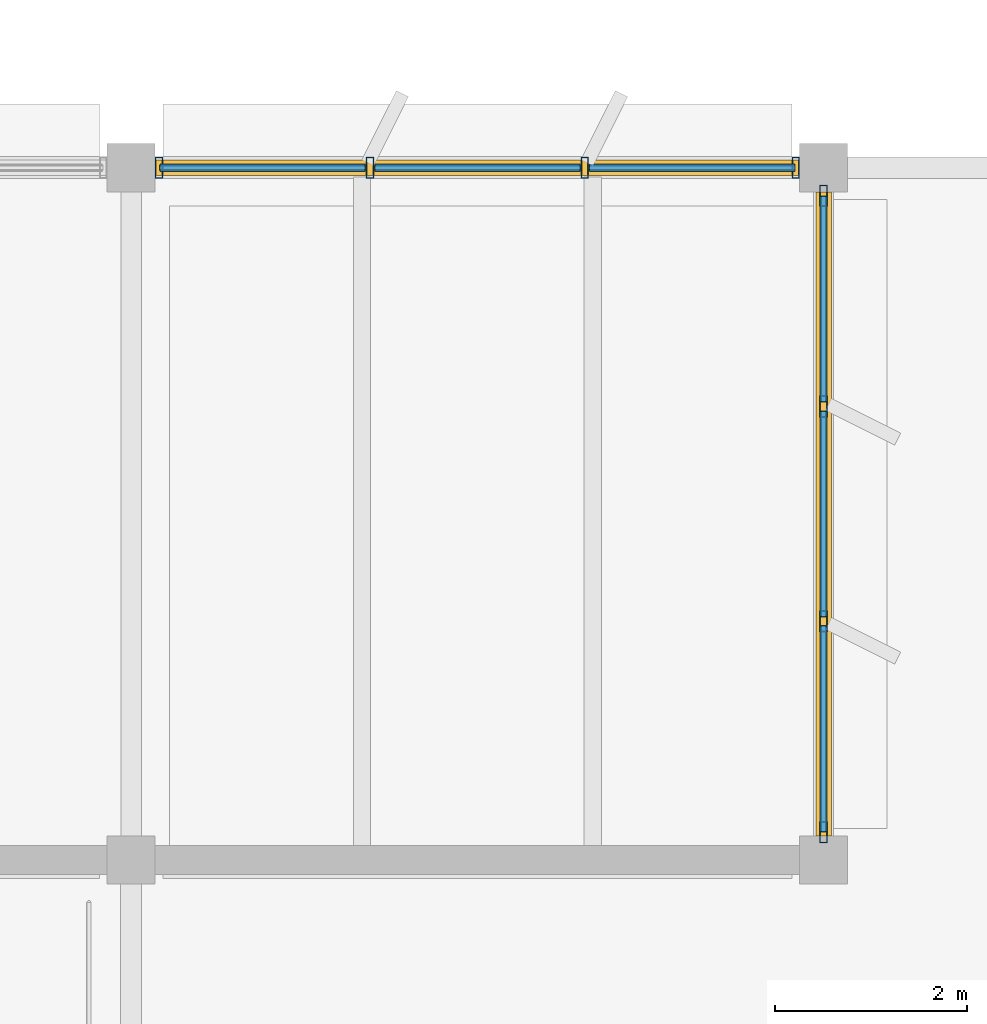
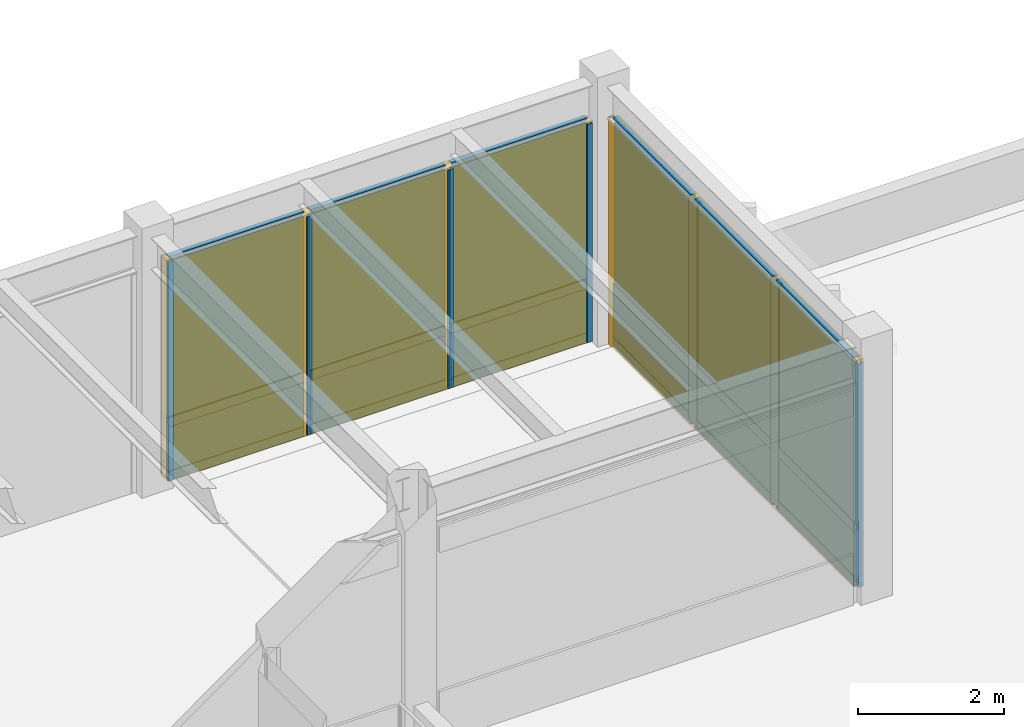
# One storey, part 71 of 92: 26 members, 12 plates, 2 curtain walls.
"""IFC4 building model written with IfcOpenShell, lengths in metres."""

from ifc_helpers import new_model, si_unit, direction, frame, origin, origin_2d, place, context, subcontext, project, spatial, rectangle, hollow_rectangle, extrude, material, layer, layer_set, material_profile, profile_set, type_object, element, aggregate, save


model = new_model("IFC4")

# Units and contexts
model_context = context("Model", 3, precision=1e-05, world=origin(), true_north=direction((0.0, 1.0)))
body_context = subcontext(model_context, "Body", "Model", "MODEL_VIEW")
ifc_project = project(units=[si_unit("LENGTHUNIT", "METRE"), si_unit("AREAUNIT", "SQUARE_METRE"), si_unit("VOLUMEUNIT", "CUBIC_METRE"), si_unit("PLANEANGLEUNIT", "RADIAN"), si_unit("MASSUNIT", "GRAM", prefix="KILO")], contexts=[model_context])

# Member
ifc_material_1 = material(Name="Anodized Aluminium 6063-T6", Category="aluminium")
ifc_material_profile_1 = material_profile(ifc_material_1, hollow_rectangle(XDim=0.074951171875, YDim=0.219970703125, WallThickness=0.0048828125, at=origin_2d()), Name="ALU 75x220x5")
ifc_profile_set_1 = profile_set([ifc_material_profile_1], Name="Anodized Aluminium 6063-T6")
member_type_1 = type_object("IfcMemberType", Name="CWM-75X180", PredefinedType="MULLION", material=ifc_profile_set_1)
site_placement = place(None, origin())
building_placement = place(site_placement, origin())
storey_placement = place(building_placement, frame((0.0, 0.0, 5.39990234375)))
member_1_placement = place(storey_placement, frame((151.489990234375, 28.800048828125, 0.02001953125), z_axis=(0.0, 0.0, 1.0), x_axis=(1.0, 0.0, 0.0)))
member_1 = element("IfcMember", 1, at=member_1_placement, type_object=member_type_1, Name="Curtain wall mullion CW-L02-21-03-N-00", PredefinedType="MULLION", context=body_context, shape_type="SweptSolid", body=[
    extrude(hollow_rectangle(XDim=0.074951171875, YDim=0.219970703125, WallThickness=0.0048828125, at=origin_2d()), origin(), (0.0, 0.0, 1.0), 3.648193359375),
])

member_2_placement = place(storey_placement, frame((153.683349609375, 28.800048828125, 0.02001953125), z_axis=(0.0, 0.0, 1.0), x_axis=(1.0, 0.0, 0.0)))
member_2 = element("IfcMember", 2, at=member_2_placement, type_object=member_type_1, Name="Curtain wall mullion CW-L02-21-03-N-01", PredefinedType="MULLION", context=body_context, shape_type="SweptSolid", body=[
    extrude(hollow_rectangle(XDim=0.074951171875, YDim=0.219970703125, WallThickness=0.0048828125, at=origin_2d()), origin(), (0.0, 0.0, 1.0), 3.648193359375),
])

member_3_placement = place(storey_placement, frame((155.916748046875, 28.800048828125, 0.02001953125), z_axis=(0.0, 0.0, 1.0), x_axis=(1.0, 0.0, 0.0)))
member_3 = element("IfcMember", 3, at=member_3_placement, type_object=member_type_1, Name="Curtain wall mullion CW-L02-21-03-N-02", PredefinedType="MULLION", context=body_context, shape_type="SweptSolid", body=[
    extrude(hollow_rectangle(XDim=0.074951171875, YDim=0.219970703125, WallThickness=0.0048828125, at=origin_2d()), origin(), (0.0, 0.0, 1.0), 3.648193359375),
])

member_4_placement = place(storey_placement, frame((158.110107421875, 28.800048828125, 0.02001953125), z_axis=(0.0, 0.0, 1.0), x_axis=(1.0, 0.0, 0.0)))
member_4 = element("IfcMember", 4, at=member_4_placement, type_object=member_type_1, Name="Curtain wall mullion CW-L02-21-03-N-03", PredefinedType="MULLION", context=body_context, shape_type="SweptSolid", body=[
    extrude(hollow_rectangle(XDim=0.074951171875, YDim=0.219970703125, WallThickness=0.0048828125, at=origin_2d()), origin(), (0.0, 0.0, 1.0), 3.648193359375),
])

member_5_placement = place(storey_placement, frame((158.39990234375, 28.510009765625, 0.02001953125), z_axis=(0.0, 0.0, 1.0), x_axis=(1.0, 0.0, 0.0)))
member_5 = element("IfcMember", 5, at=member_5_placement, type_object=member_type_1, Name="Curtain wall mullion CW-L02-21-03-E-00", PredefinedType="MULLION", context=body_context, shape_type="SweptSolid", body=[
    extrude(hollow_rectangle(XDim=0.074951171875, YDim=0.219970703125, WallThickness=0.0048828125, at=origin_2d()), origin(), (0.0, 0.0, 1.0), 3.72705078125),
])

member_6_placement = place(storey_placement, frame((158.39990234375, 26.316650390625, 0.02001953125), z_axis=(0.0, 0.0, 1.0), x_axis=(1.0, 0.0, 0.0)))
member_6 = element("IfcMember", 6, at=member_6_placement, type_object=member_type_1, Name="Curtain wall mullion CW-L02-21-03-E-01", PredefinedType="MULLION", context=body_context, shape_type="SweptSolid", body=[
    extrude(hollow_rectangle(XDim=0.074951171875, YDim=0.219970703125, WallThickness=0.0048828125, at=origin_2d()), origin(), (0.0, 0.0, 1.0), 3.72705078125),
])

member_7_placement = place(storey_placement, frame((158.39990234375, 24.083251953125, 0.02001953125), z_axis=(0.0, 0.0, 1.0), x_axis=(1.0, 0.0, 0.0)))
member_7 = element("IfcMember", 7, at=member_7_placement, type_object=member_type_1, Name="Curtain wall mullion CW-L02-21-03-E-02", PredefinedType="MULLION", context=body_context, shape_type="SweptSolid", body=[
    extrude(hollow_rectangle(XDim=0.074951171875, YDim=0.219970703125, WallThickness=0.0048828125, at=origin_2d()), origin(), (0.0, 0.0, 1.0), 3.72705078125),
])

member_8_placement = place(storey_placement, frame((158.39990234375, 21.889892578125, 0.02001953125), z_axis=(0.0, 0.0, 1.0), x_axis=(1.0, 0.0, 0.0)))
member_8 = element("IfcMember", 8, at=member_8_placement, type_object=member_type_1, Name="Curtain wall mullion CW-L02-21-03-E-03", PredefinedType="MULLION", context=body_context, shape_type="SweptSolid", body=[
    extrude(hollow_rectangle(XDim=0.074951171875, YDim=0.219970703125, WallThickness=0.0048828125, at=origin_2d()), origin(), (0.0, 0.0, 1.0), 3.72705078125),
])

ifc_material_profile_2 = material_profile(ifc_material_1, hollow_rectangle(XDim=0.074951171875, YDim=0.159912109375, WallThickness=0.00390625, at=origin_2d()), Name="ALU 75x160x4")
ifc_profile_set_2 = profile_set([ifc_material_profile_2], Name="Anodized Aluminium 6063-T6")
member_type_2 = type_object("IfcMemberType", Name="CWT-75X150", PredefinedType="USERDEFINED", material=ifc_profile_set_2)
member_9_placement = place(storey_placement, frame((151.5, 28.800048828125, 0.050048828125), z_axis=(1.0, 0.0, 0.0), x_axis=(0.0, 1.0, 0.0)))
member_9 = element("IfcMember", 9, at=member_9_placement, type_object=member_type_2, Name="Curtain wall transom CW-L02-21-03-N-1.01", ObjectType="TRANSOM", PredefinedType="USERDEFINED", context=body_context, shape_type="SweptSolid", body=[
    extrude(hollow_rectangle(XDim=0.074951171875, YDim=0.159912109375, WallThickness=0.00390625, at=origin_2d()), origin(), (0.0, 0.0, 1.0), 2.13330078125),
])

member_10_placement = place(storey_placement, frame((153.7333984375, 28.800048828125, 0.050048828125), z_axis=(1.0, 0.0, 0.0), x_axis=(0.0, 1.0, 0.0)))
member_10 = element("IfcMember", 10, at=member_10_placement, type_object=member_type_2, Name="Curtain wall transom CW-L02-21-03-N-1.02", ObjectType="TRANSOM", PredefinedType="USERDEFINED", context=body_context, shape_type="SweptSolid", body=[
    extrude(hollow_rectangle(XDim=0.074951171875, YDim=0.159912109375, WallThickness=0.00390625, at=origin_2d()), origin(), (0.0, 0.0, 1.0), 2.13330078125),
])

member_11_placement = place(storey_placement, frame((155.966796875, 28.800048828125, 0.050048828125), z_axis=(1.0, 0.0, 0.0), x_axis=(0.0, 1.0, 0.0)))
member_11 = element("IfcMember", 11, at=member_11_placement, type_object=member_type_2, Name="Curtain wall transom CW-L02-21-03-N-1.03", ObjectType="TRANSOM", PredefinedType="USERDEFINED", context=body_context, shape_type="SweptSolid", body=[
    extrude(hollow_rectangle(XDim=0.074951171875, YDim=0.159912109375, WallThickness=0.00390625, at=origin_2d()), origin(), (0.0, 0.0, 1.0), 2.13330078125),
])

member_12_placement = place(storey_placement, frame((151.5, 28.800048828125, 0.9501953125), z_axis=(1.0, 0.0, 0.0), x_axis=(0.0, 1.0, 0.0)))
member_12 = element("IfcMember", 12, at=member_12_placement, type_object=member_type_2, Name="Curtain wall transom CW-L02-21-03-N-2.01", ObjectType="TRANSOM", PredefinedType="USERDEFINED", context=body_context, shape_type="SweptSolid", body=[
    extrude(hollow_rectangle(XDim=0.074951171875, YDim=0.159912109375, WallThickness=0.00390625, at=origin_2d()), origin(), (0.0, 0.0, 1.0), 2.13330078125),
])

member_13_placement = place(storey_placement, frame((153.7333984375, 28.800048828125, 0.9501953125), z_axis=(1.0, 0.0, 0.0), x_axis=(0.0, 1.0, 0.0)))
member_13 = element("IfcMember", 13, at=member_13_placement, type_object=member_type_2, Name="Curtain wall transom CW-L02-21-03-N-2.02", ObjectType="TRANSOM", PredefinedType="USERDEFINED", context=body_context, shape_type="SweptSolid", body=[
    extrude(hollow_rectangle(XDim=0.074951171875, YDim=0.159912109375, WallThickness=0.00390625, at=origin_2d()), origin(), (0.0, 0.0, 1.0), 2.13330078125),
])

member_14_placement = place(storey_placement, frame((155.966796875, 28.800048828125, 0.9501953125), z_axis=(1.0, 0.0, 0.0), x_axis=(0.0, 1.0, 0.0)))
member_14 = element("IfcMember", 14, at=member_14_placement, type_object=member_type_2, Name="Curtain wall transom CW-L02-21-03-N-2.03", ObjectType="TRANSOM", PredefinedType="USERDEFINED", context=body_context, shape_type="SweptSolid", body=[
    extrude(hollow_rectangle(XDim=0.074951171875, YDim=0.159912109375, WallThickness=0.00390625, at=origin_2d()), origin(), (0.0, 0.0, 1.0), 2.13330078125),
])

member_15_placement = place(storey_placement, frame((151.5, 28.800048828125, 3.63818359375), z_axis=(1.0, 0.0, 0.0), x_axis=(0.0, 1.0, 0.0)))
member_15 = element("IfcMember", 15, at=member_15_placement, type_object=member_type_2, Name="Curtain wall transom CW-L02-21-03-N-3.01", ObjectType="TRANSOM", PredefinedType="USERDEFINED", context=body_context, shape_type="SweptSolid", body=[
    extrude(hollow_rectangle(XDim=0.074951171875, YDim=0.159912109375, WallThickness=0.00390625, at=origin_2d()), origin(), (0.0, 0.0, 1.0), 2.13330078125),
])

member_16_placement = place(storey_placement, frame((153.7333984375, 28.800048828125, 3.63818359375), z_axis=(1.0, 0.0, 0.0), x_axis=(0.0, 1.0, 0.0)))
member_16 = element("IfcMember", 16, at=member_16_placement, type_object=member_type_2, Name="Curtain wall transom CW-L02-21-03-N-3.02", ObjectType="TRANSOM", PredefinedType="USERDEFINED", context=body_context, shape_type="SweptSolid", body=[
    extrude(hollow_rectangle(XDim=0.074951171875, YDim=0.159912109375, WallThickness=0.00390625, at=origin_2d()), origin(), (0.0, 0.0, 1.0), 2.13330078125),
])

member_17_placement = place(storey_placement, frame((155.966796875, 28.800048828125, 3.63818359375), z_axis=(1.0, 0.0, 0.0), x_axis=(0.0, 1.0, 0.0)))
member_17 = element("IfcMember", 17, at=member_17_placement, type_object=member_type_2, Name="Curtain wall transom CW-L02-21-03-N-3.03", ObjectType="TRANSOM", PredefinedType="USERDEFINED", context=body_context, shape_type="SweptSolid", body=[
    extrude(hollow_rectangle(XDim=0.074951171875, YDim=0.159912109375, WallThickness=0.00390625, at=origin_2d()), origin(), (0.0, 0.0, 1.0), 2.13330078125),
])

member_18_placement = place(storey_placement, frame((158.39990234375, 28.5, 0.050048828125), z_axis=(0.0, -1.0, 0.0), x_axis=(1.0, 0.0, 0.0)))
member_18 = element("IfcMember", 18, at=member_18_placement, type_object=member_type_2, Name="Curtain wall transom CW-L02-21-03-E-1.01", ObjectType="TRANSOM", PredefinedType="USERDEFINED", context=body_context, shape_type="SweptSolid", body=[
    extrude(hollow_rectangle(XDim=0.074951171875, YDim=0.159912109375, WallThickness=0.00390625, at=origin_2d()), origin(), (0.0, 0.0, 1.0), 2.13330078125),
])

member_19_placement = place(storey_placement, frame((158.39990234375, 26.2666015625, 0.050048828125), z_axis=(0.0, -1.0, 0.0), x_axis=(1.0, 0.0, 0.0)))
member_19 = element("IfcMember", 19, at=member_19_placement, type_object=member_type_2, Name="Curtain wall transom CW-L02-21-03-E-1.02", ObjectType="TRANSOM", PredefinedType="USERDEFINED", context=body_context, shape_type="SweptSolid", body=[
    extrude(hollow_rectangle(XDim=0.074951171875, YDim=0.159912109375, WallThickness=0.00390625, at=origin_2d()), origin(), (0.0, 0.0, 1.0), 2.13330078125),
])

member_20_placement = place(storey_placement, frame((158.39990234375, 24.033203125, 0.050048828125), z_axis=(0.0, -1.0, 0.0), x_axis=(1.0, 0.0, 0.0)))
member_20 = element("IfcMember", 20, at=member_20_placement, type_object=member_type_2, Name="Curtain wall transom CW-L02-21-03-E-1.03", ObjectType="TRANSOM", PredefinedType="USERDEFINED", context=body_context, shape_type="SweptSolid", body=[
    extrude(hollow_rectangle(XDim=0.074951171875, YDim=0.159912109375, WallThickness=0.00390625, at=origin_2d()), origin(), (0.0, 0.0, 1.0), 2.13330078125),
])

member_21_placement = place(storey_placement, frame((158.39990234375, 28.5, 0.9501953125), z_axis=(0.0, -1.0, 0.0), x_axis=(1.0, 0.0, 0.0)))
member_21 = element("IfcMember", 21, at=member_21_placement, type_object=member_type_2, Name="Curtain wall transom CW-L02-21-03-E-2.01", ObjectType="TRANSOM", PredefinedType="USERDEFINED", context=body_context, shape_type="SweptSolid", body=[
    extrude(hollow_rectangle(XDim=0.074951171875, YDim=0.159912109375, WallThickness=0.00390625, at=origin_2d()), origin(), (0.0, 0.0, 1.0), 2.13330078125),
])

member_22_placement = place(storey_placement, frame((158.39990234375, 26.2666015625, 0.9501953125), z_axis=(0.0, -1.0, 0.0), x_axis=(1.0, 0.0, 0.0)))
member_22 = element("IfcMember", 22, at=member_22_placement, type_object=member_type_2, Name="Curtain wall transom CW-L02-21-03-E-2.02", ObjectType="TRANSOM", PredefinedType="USERDEFINED", context=body_context, shape_type="SweptSolid", body=[
    extrude(hollow_rectangle(XDim=0.074951171875, YDim=0.159912109375, WallThickness=0.00390625, at=origin_2d()), origin(), (0.0, 0.0, 1.0), 2.13330078125),
])

member_23_placement = place(storey_placement, frame((158.39990234375, 24.033203125, 0.9501953125), z_axis=(0.0, -1.0, 0.0), x_axis=(1.0, 0.0, 0.0)))
member_23 = element("IfcMember", 23, at=member_23_placement, type_object=member_type_2, Name="Curtain wall transom CW-L02-21-03-E-2.03", ObjectType="TRANSOM", PredefinedType="USERDEFINED", context=body_context, shape_type="SweptSolid", body=[
    extrude(hollow_rectangle(XDim=0.074951171875, YDim=0.159912109375, WallThickness=0.00390625, at=origin_2d()), origin(), (0.0, 0.0, 1.0), 2.13330078125),
])

member_24_placement = place(storey_placement, frame((158.39990234375, 28.5, 3.717041015625), z_axis=(0.0, -1.0, 0.0), x_axis=(1.0, 0.0, 0.0)))
member_24 = element("IfcMember", 24, at=member_24_placement, type_object=member_type_2, Name="Curtain wall transom CW-L02-21-03-E-3.01", ObjectType="TRANSOM", PredefinedType="USERDEFINED", context=body_context, shape_type="SweptSolid", body=[
    extrude(hollow_rectangle(XDim=0.074951171875, YDim=0.159912109375, WallThickness=0.00390625, at=origin_2d()), origin(), (0.0, 0.0, 1.0), 2.13330078125),
])

member_25_placement = place(storey_placement, frame((158.39990234375, 26.2666015625, 3.717041015625), z_axis=(0.0, -1.0, 0.0), x_axis=(1.0, 0.0, 0.0)))
member_25 = element("IfcMember", 25, at=member_25_placement, type_object=member_type_2, Name="Curtain wall transom CW-L02-21-03-E-3.02", ObjectType="TRANSOM", PredefinedType="USERDEFINED", context=body_context, shape_type="SweptSolid", body=[
    extrude(hollow_rectangle(XDim=0.074951171875, YDim=0.159912109375, WallThickness=0.00390625, at=origin_2d()), origin(), (0.0, 0.0, 1.0), 2.13330078125),
])

member_26_placement = place(storey_placement, frame((158.39990234375, 24.033203125, 3.717041015625), z_axis=(0.0, -1.0, 0.0), x_axis=(1.0, 0.0, 0.0)))
member_26 = element("IfcMember", 26, at=member_26_placement, type_object=member_type_2, Name="Curtain wall transom CW-L02-21-03-E-3.03", ObjectType="TRANSOM", PredefinedType="USERDEFINED", context=body_context, shape_type="SweptSolid", body=[
    extrude(hollow_rectangle(XDim=0.074951171875, YDim=0.159912109375, WallThickness=0.00390625, at=origin_2d()), origin(), (0.0, 0.0, 1.0), 2.13330078125),
])

# Plate
ifc_material_2 = material(Name="Acoustic Laminated Low-E Glazing", Category="glass")
ifc_layer_1 = layer(ifc_material_2, 0.0439453125)
ifc_layer_set_1 = layer_set([ifc_layer_1], Name="Acoustic Laminated Low-E Glazing")
plate_type_1 = type_object("IfcPlateType", Name="CWP-IGU-44", PredefinedType="CURTAIN_PANEL", material=ifc_layer_set_1)
plate_1_placement = place(storey_placement, frame((152.566650390625, 28.800048828125, 0.990234375), z_axis=(0.0, 0.0, 1.0), x_axis=(1.0, 0.0, 0.0)))
plate_1 = element("IfcPlate", 27, at=plate_1_placement, type_object=plate_type_1, Name="Curtain wall vision glazing CW-L02-21-03-N-01", PredefinedType="CURTAIN_PANEL", context=body_context, shape_type="SweptSolid", body=[
    extrude(rectangle(XDim=2.143310546875, YDim=0.0400390625, at=origin_2d()), origin(), (0.0, 0.0, 1.0), 2.637939453125),
])

plate_2_placement = place(storey_placement, frame((154.800048828125, 28.800048828125, 0.990234375), z_axis=(0.0, 0.0, 1.0), x_axis=(1.0, 0.0, 0.0)))
plate_2 = element("IfcPlate", 28, at=plate_2_placement, type_object=plate_type_1, Name="Curtain wall vision glazing CW-L02-21-03-N-02", PredefinedType="CURTAIN_PANEL", context=body_context, shape_type="SweptSolid", body=[
    extrude(rectangle(XDim=2.143310546875, YDim=0.0400390625, at=origin_2d()), origin(), (0.0, 0.0, 1.0), 2.637939453125),
])

plate_3_placement = place(storey_placement, frame((157.033203125, 28.800048828125, 0.990234375), z_axis=(0.0, 0.0, 1.0), x_axis=(1.0, 0.0, 0.0)))
plate_3 = element("IfcPlate", 29, at=plate_3_placement, type_object=plate_type_1, Name="Curtain wall vision glazing CW-L02-21-03-N-03", PredefinedType="CURTAIN_PANEL", context=body_context, shape_type="SweptSolid", body=[
    extrude(rectangle(XDim=2.143310546875, YDim=0.0400390625, at=origin_2d()), origin(), (0.0, 0.0, 1.0), 2.637939453125),
])

plate_4_placement = place(storey_placement, frame((158.39990234375, 27.433349609375, 0.990234375), z_axis=(0.0, 0.0, 1.0), x_axis=(0.0, -1.0, 0.0)))
plate_4 = element("IfcPlate", 30, at=plate_4_placement, type_object=plate_type_1, Name="Curtain wall vision glazing CW-L02-21-03-E-01", PredefinedType="CURTAIN_PANEL", context=body_context, shape_type="SweptSolid", body=[
    extrude(rectangle(XDim=2.143310546875, YDim=0.0400390625, at=origin_2d()), origin(), (0.0, 0.0, 1.0), 2.717041015625),
])

plate_5_placement = place(storey_placement, frame((158.39990234375, 25.199951171875, 0.990234375), z_axis=(0.0, 0.0, 1.0), x_axis=(0.0, -1.0, 0.0)))
plate_5 = element("IfcPlate", 31, at=plate_5_placement, type_object=plate_type_1, Name="Curtain wall vision glazing CW-L02-21-03-E-02", PredefinedType="CURTAIN_PANEL", context=body_context, shape_type="SweptSolid", body=[
    extrude(rectangle(XDim=2.143310546875, YDim=0.0400390625, at=origin_2d()), origin(), (0.0, 0.0, 1.0), 2.717041015625),
])

plate_6_placement = place(storey_placement, frame((158.39990234375, 22.966796875, 0.990234375), z_axis=(0.0, 0.0, 1.0), x_axis=(0.0, -1.0, 0.0)))
plate_6 = element("IfcPlate", 32, at=plate_6_placement, type_object=plate_type_1, Name="Curtain wall vision glazing CW-L02-21-03-E-03", PredefinedType="CURTAIN_PANEL", context=body_context, shape_type="SweptSolid", body=[
    extrude(rectangle(XDim=2.143310546875, YDim=0.0400390625, at=origin_2d()), origin(), (0.0, 0.0, 1.0), 2.717041015625),
])

ifc_material_3 = material(Name="Insulated Stone-Composite Spandrel", Category="masonry")
ifc_layer_2 = layer(ifc_material_3, 0.068115234375)
ifc_layer_set_2 = layer_set([ifc_layer_2], Name="Insulated Stone-Composite Spandrel")
plate_type_2 = type_object("IfcPlateType", Name="CWP-SPN-68", PredefinedType="CURTAIN_PANEL", material=ifc_layer_set_2)
plate_7_placement = place(storey_placement, frame((152.566650390625, 28.800048828125, 0.080078125), z_axis=(0.0, 0.0, 1.0), x_axis=(1.0, 0.0, 0.0)))
plate_7 = element("IfcPlate", 33, at=plate_7_placement, type_object=plate_type_2, Name="Curtain wall spandrel panel CW-L02-21-03-N-01", PredefinedType="CURTAIN_PANEL", context=body_context, shape_type="SweptSolid", body=[
    extrude(rectangle(XDim=2.143310546875, YDim=0.06005859375, at=origin_2d()), origin(), (0.0, 0.0, 1.0), 0.840087890625),
])

plate_8_placement = place(storey_placement, frame((154.800048828125, 28.800048828125, 0.080078125), z_axis=(0.0, 0.0, 1.0), x_axis=(1.0, 0.0, 0.0)))
plate_8 = element("IfcPlate", 34, at=plate_8_placement, type_object=plate_type_2, Name="Curtain wall spandrel panel CW-L02-21-03-N-02", PredefinedType="CURTAIN_PANEL", context=body_context, shape_type="SweptSolid", body=[
    extrude(rectangle(XDim=2.143310546875, YDim=0.06005859375, at=origin_2d()), origin(), (0.0, 0.0, 1.0), 0.840087890625),
])

plate_9_placement = place(storey_placement, frame((157.033203125, 28.800048828125, 0.080078125), z_axis=(0.0, 0.0, 1.0), x_axis=(1.0, 0.0, 0.0)))
plate_9 = element("IfcPlate", 35, at=plate_9_placement, type_object=plate_type_2, Name="Curtain wall spandrel panel CW-L02-21-03-N-03", PredefinedType="CURTAIN_PANEL", context=body_context, shape_type="SweptSolid", body=[
    extrude(rectangle(XDim=2.143310546875, YDim=0.06005859375, at=origin_2d()), origin(), (0.0, 0.0, 1.0), 0.840087890625),
])

plate_10_placement = place(storey_placement, frame((158.39990234375, 27.433349609375, 0.080078125), z_axis=(0.0, 0.0, 1.0), x_axis=(0.0, -1.0, 0.0)))
plate_10 = element("IfcPlate", 36, at=plate_10_placement, type_object=plate_type_2, Name="Curtain wall spandrel panel CW-L02-21-03-E-01", PredefinedType="CURTAIN_PANEL", context=body_context, shape_type="SweptSolid", body=[
    extrude(rectangle(XDim=2.143310546875, YDim=0.06005859375, at=origin_2d()), origin(), (0.0, 0.0, 1.0), 0.840087890625),
])

plate_11_placement = place(storey_placement, frame((158.39990234375, 25.199951171875, 0.080078125), z_axis=(0.0, 0.0, 1.0), x_axis=(0.0, -1.0, 0.0)))
plate_11 = element("IfcPlate", 37, at=plate_11_placement, type_object=plate_type_2, Name="Curtain wall spandrel panel CW-L02-21-03-E-02", PredefinedType="CURTAIN_PANEL", context=body_context, shape_type="SweptSolid", body=[
    extrude(rectangle(XDim=2.143310546875, YDim=0.06005859375, at=origin_2d()), origin(), (0.0, 0.0, 1.0), 0.840087890625),
])

plate_12_placement = place(storey_placement, frame((158.39990234375, 22.966796875, 0.080078125), z_axis=(0.0, 0.0, 1.0), x_axis=(0.0, -1.0, 0.0)))
plate_12 = element("IfcPlate", 38, at=plate_12_placement, type_object=plate_type_2, Name="Curtain wall spandrel panel CW-L02-21-03-E-03", PredefinedType="CURTAIN_PANEL", context=body_context, shape_type="SweptSolid", body=[
    extrude(rectangle(XDim=2.143310546875, YDim=0.06005859375, at=origin_2d()), origin(), (0.0, 0.0, 1.0), 0.840087890625),
])

# Site, building, storey
site = spatial("IfcSite", under=ifc_project, at=site_placement, CompositionType="ELEMENT")
building = spatial("IfcBuilding", under=site, at=building_placement, Name="Sillqori Civic Hall", CompositionType="ELEMENT")
storey = spatial("IfcBuildingStorey", under=building, at=storey_placement, Name="L02", CompositionType="ELEMENT", Elevation=5.39990234375)

# Curtain wall
ifc_material_4 = material(Name="Anodized Aluminium Curtain Wall System", Category="aluminium")
curtain_wall_type = type_object("IfcCurtainWallType", Name="CW-GL-430", PredefinedType="NOTDEFINED", material=ifc_material_4)
curtain_wall_1_placement = place(storey_placement, frame((154.800048828125, 28.800048828125, 0.0), z_axis=(0.0, 0.0, 1.0), x_axis=(1.0, 0.0, 0.0)))
curtain_wall_1 = element("IfcCurtainWall", 39, at=curtain_wall_1_placement, inside=storey, type_object=curtain_wall_type, Name="L02 unitised curtain wall CW-L02-21-03-N", PredefinedType="NOTDEFINED", context=body_context, shape_type="SweptSolid", body=[
    extrude(rectangle(XDim=6.699951171875, YDim=0.159912109375, at=origin_2d()), origin(), (0.0, 0.0, 1.0), 3.68798828125),
])

aggregate(curtain_wall_1, [member_1, member_2, member_3, member_4, member_9, member_10, member_11, member_12, member_13, member_14, member_15, member_16, member_17, plate_7, plate_1, plate_8, plate_2, plate_9, plate_3])

curtain_wall_2_placement = place(storey_placement, frame((158.39990234375, 25.199951171875, 0.0), z_axis=(0.0, 0.0, 1.0), x_axis=(0.0, -1.0, 0.0)))
curtain_wall_2 = element("IfcCurtainWall", 40, at=curtain_wall_2_placement, inside=storey, type_object=curtain_wall_type, Name="L02 unitised curtain wall CW-L02-21-03-E", PredefinedType="NOTDEFINED", context=body_context, shape_type="SweptSolid", body=[
    extrude(rectangle(XDim=6.699951171875, YDim=0.159912109375, at=origin_2d()), origin(), (0.0, 0.0, 1.0), 3.76708984375),
])

aggregate(curtain_wall_2, [member_5, member_6, member_7, member_8, member_18, member_19, member_20, member_21, member_22, member_23, member_24, member_25, member_26, plate_10, plate_4, plate_11, plate_5, plate_12, plate_6])

save(model, "model.ifc")
